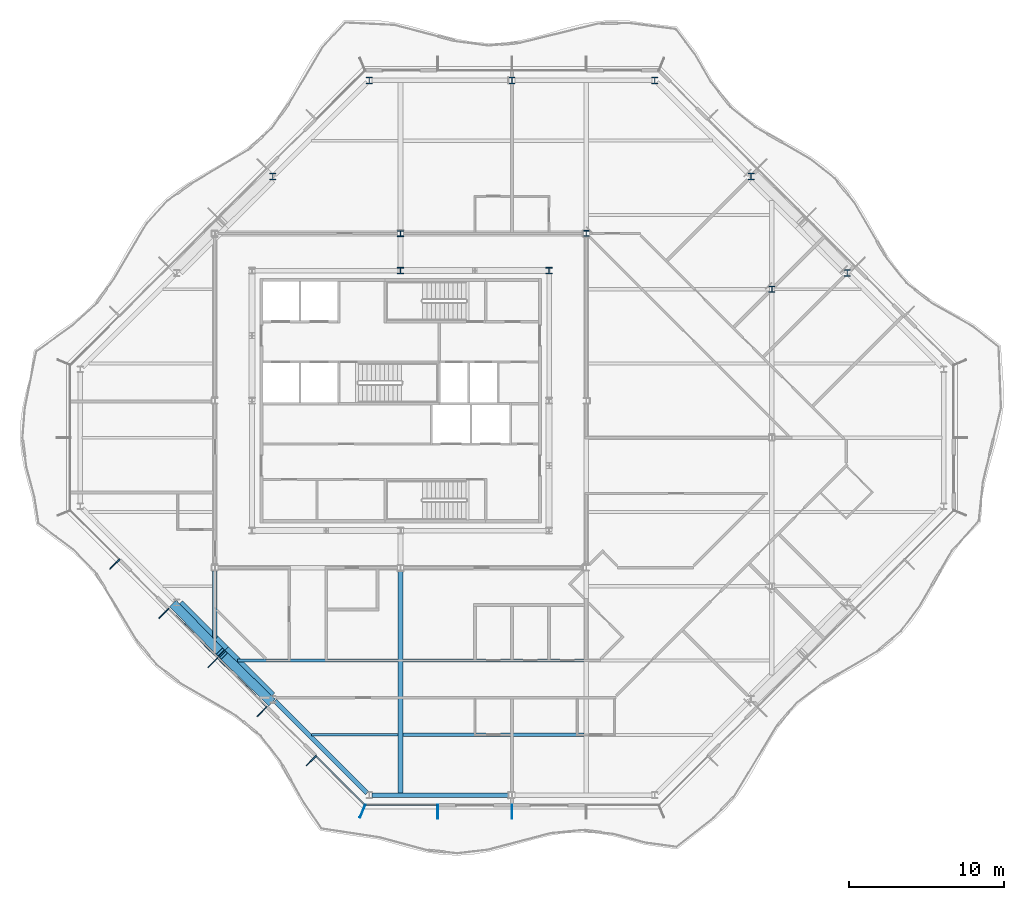
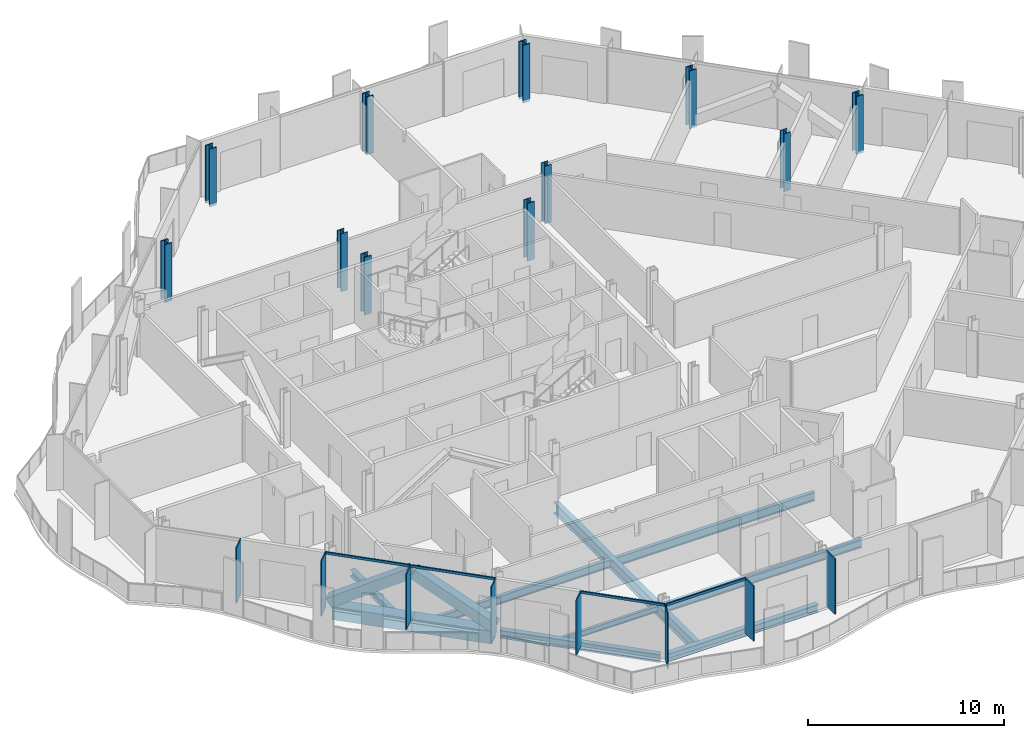
# One storey, part 2 of 17: 14 members, 11 columns, 10 beams, 2 elements without a shape of their own.
"""IFC4 building model written with IfcOpenShell, lengths in metres."""

from ifc_helpers import new_model, si_unit, direction, frame, origin, origin_2d, place, context, subcontext, project, spatial, rectangle, hollow_rectangle, i_section, extrude, material, material_profile, profile_set, type_object, element, aggregate, save


model = new_model("IFC4")

# Units and contexts
model_context = context("Model", 3, precision=1e-05, world=origin(), true_north=direction((0.0, 1.0)))
body_context = subcontext(model_context, "Body", "Model", "MODEL_VIEW")
ifc_project = project(units=[si_unit("LENGTHUNIT", "METRE"), si_unit("AREAUNIT", "SQUARE_METRE"), si_unit("VOLUMEUNIT", "CUBIC_METRE"), si_unit("PLANEANGLEUNIT", "RADIAN"), si_unit("MASSUNIT", "GRAM", prefix="KILO")], contexts=[model_context])

# Site, building, storey
site_placement = place(None, origin())
site = spatial("IfcSite", under=ifc_project, at=site_placement, CompositionType="ELEMENT")
building_placement = place(site_placement, origin())
building = spatial("IfcBuilding", under=site, at=building_placement, Name="Cairn Pilgrim Tower", CompositionType="ELEMENT")
storey_placement = place(building_placement, frame((0.0, 0.0, 217.800048828125)))
storey = spatial("IfcBuildingStorey", under=building, at=storey_placement, Name="L55", CompositionType="ELEMENT", Elevation=217.800048828125)

# Columns
ifc_material_1 = material(Name="Structural steel S355J2", Category="steel")
ifc_material_profile_1 = material_profile(ifc_material_1, i_section(OverallWidth=0.39892578125, OverallDepth=0.39306640625, WebThickness=0.022705078125, FlangeThickness=0.03662109375, FilletRadius=0.014892578125, at=origin_2d()), Name="HD 400x287")
ifc_profile_set_1 = profile_set([ifc_material_profile_1], Name="Structural steel S355J2")
column_type_1 = type_object("IfcColumnType", Name="HD 400x287", PredefinedType="COLUMN", material=ifc_profile_set_1)
for number, where, z_axis, x_axis, name in (
    (1, (7.199951171875, 13.199951171875, -0.150146484375), (0.0, 0.0, 1.0), (1.0, 0.0, 0.0), "IC-7"),
    (2, (19.199951171875, 13.199951171875, -0.150146484375), (0.0, 0.0, 1.0), (1.0, 0.0, 0.0), "IC-8"),
    (3, (31.199951171875, 9.60009765625, -0.150146484375), (0.0, 0.0, 1.0), (1.0, 0.0, 0.0), "WC-WE+2"),
):
    element("IfcColumn", number, at=place(storey_placement, frame(where, z_axis=z_axis, x_axis=x_axis)), inside=storey, type_object=column_type_1, Name=name, PredefinedType="COLUMN", context=body_context, shape_type="SweptSolid", body=[
        extrude(i_section(OverallWidth=0.39892578125, OverallDepth=0.39306640625, WebThickness=0.022705078125, FlangeThickness=0.03662109375, FilletRadius=0.014892578125, at=origin_2d()), origin(), (0.0, 0.0, 1.0), 3.60009765625),
    ])
ifc_material_2 = material(Name="Structural steel S460M", Category="steel")
ifc_material_profile_2 = material_profile(ifc_material_2, i_section(OverallWidth=0.404052734375, OverallDepth=0.406982421875, WebThickness=0.027099609375, FlangeThickness=0.043701171875, FilletRadius=0.014892578125, at=origin_2d()), Name="HD 400x347")
ifc_profile_set_2 = profile_set([ifc_material_profile_2], Name="Structural steel S460M")
column_type_2 = type_object("IfcColumnType", Name="HD 400x347", PredefinedType="COLUMN", material=ifc_profile_set_2)
for number, where, z_axis, x_axis, name in (
    (4, (7.199951171875, 10.800048828125, -0.150146484375), (0.0, 0.0, 1.0), (1.0, 0.0, 0.0), "KC-7"),
    (5, (16.800048828125, 10.800048828125, -0.150146484375), (0.0, 0.0, 1.0), (1.0, 0.0, 0.0), "KC-8"),
):
    element("IfcColumn", number, at=place(storey_placement, frame(where, z_axis=z_axis, x_axis=x_axis)), inside=storey, type_object=column_type_2, Name=name, PredefinedType="COLUMN", context=body_context, shape_type="SweptSolid", body=[
        extrude(i_section(OverallWidth=0.404052734375, OverallDepth=0.406982421875, WebThickness=0.027099609375, FlangeThickness=0.043701171875, FilletRadius=0.014892578125, at=origin_2d()), origin(), (0.0, 0.0, 1.0), 3.60009765625),
    ])
ifc_material_profile_3 = material_profile(ifc_material_2, i_section(OverallWidth=0.416015625, OverallDepth=0.446044921875, WebThickness=0.0390625, FlangeThickness=0.062744140625, FilletRadius=0.014892578125, at=origin_2d()), Name="HD 400x509")
ifc_profile_set_3 = profile_set([ifc_material_profile_3], Name="Structural steel S460M")
column_type_3 = type_object("IfcColumnType", Name="HD 400x509", PredefinedType="COLUMN", material=ifc_profile_set_3)
for number, where, z_axis, x_axis, name in (
    (6, (36.07568359375, 10.651611328125, -0.150146484375), (0.0, 0.0, 1.0), (1.0, 0.0, 0.0), "PC3-NE2"),
    (7, (29.8515625, 16.875732421875, -0.150146484375), (0.0, 0.0, 1.0), (1.0, 0.0, 0.0), "PC3-NE3"),
    (8, (23.627197265625, 23.10009765625, -0.150146484375), (0.0, 0.0, 1.0), (1.0, 0.0, 0.0), "PC3-N1"),
    (9, (14.39990234375, 23.10009765625, -0.150146484375), (0.0, 0.0, 1.0), (1.0, 0.0, 0.0), "PC3-N2"),
    (10, (5.1728515625, 23.10009765625, -0.150146484375), (0.0, 0.0, 1.0), (1.0, 0.0, 0.0), "PC3-NW1"),
    (11, (-1.051513671875, 16.875732421875, -0.150146484375), (0.0, 0.0, 1.0), (1.0, 0.0, 0.0), "PC3-NW2"),
):
    element("IfcColumn", number, at=place(storey_placement, frame(where, z_axis=z_axis, x_axis=x_axis)), inside=storey, type_object=column_type_3, Name=name, PredefinedType="COLUMN", context=body_context, shape_type="SweptSolid", body=[
        extrude(i_section(OverallWidth=0.416015625, OverallDepth=0.446044921875, WebThickness=0.0390625, FlangeThickness=0.062744140625, FilletRadius=0.014892578125, at=origin_2d()), origin(), (0.0, 0.0, 1.0), 3.60009765625),
    ])

# Members
ifc_material_profile_4 = material_profile(ifc_material_2, hollow_rectangle(XDim=0.60009765625, YDim=0.60009765625, WallThickness=0.034912109375, at=origin_2d()), Name="BOX 600x600x35")
ifc_profile_set_4 = profile_set([ifc_material_profile_4], Name="Structural steel S460M")
member_type_1 = type_object("IfcMemberType", Name="BOX 600x600x35 BRACE", PredefinedType="BRACE", material=ifc_profile_set_4)
member_1_placement = place(storey_placement, frame((-7.4013671875, -10.823974609375, 0.14990234375), z_axis=(0.59476326853, -0.609993709431, 0.523607036681), x_axis=(0.715988756584, 0.698111810848, 0.0)))
element("IfcMember", 12, at=member_1_placement, inside=storey, type_object=member_type_1, Name="XB-SW2-SW3-1", PredefinedType="BRACE", context=body_context, shape_type="SweptSolid", body=[
    extrude(hollow_rectangle(XDim=0.60009765625, YDim=0.60009765625, WallThickness=0.034912109375, at=origin_2d()), origin(), (0.0, 0.0, 1.0), 5.033447265625),
])
member_2_placement = place(storey_placement, frame((-1.22412109375, -17.00146484375, 0.14990234375), z_axis=(-0.609963251675, 0.594780866166, 0.523622528973), x_axis=(-0.698140268834, -0.71596100804, 0.0)))
element("IfcMember", 13, at=member_2_placement, inside=storey, type_object=member_type_1, Name="XB-SW2-SW3-2", PredefinedType="BRACE", context=body_context, shape_type="SweptSolid", body=[
    extrude(hollow_rectangle(XDim=0.60009765625, YDim=0.60009765625, WallThickness=0.034912109375, at=origin_2d()), origin(), (0.0, 0.0, 1.0), 5.033203125),
])

# Beams
ifc_material_profile_5 = material_profile(ifc_material_1, hollow_rectangle(XDim=0.699951171875, YDim=0.800048828125, WallThickness=0.0400390625, at=origin_2d()), Name="BOX 700x800x40")
ifc_profile_set_5 = profile_set([ifc_material_profile_5], Name="Structural steel S355J2")
beam_type_1 = type_object("IfcBeamType", Name="BOX 700x800x40 RING GIRDER", PredefinedType="SPANDREL", material=ifc_profile_set_5)
beam_1_placement = place(storey_placement, frame((-7.143310546875, -10.78369140625, -0.550048828125), z_axis=(0.707077813866, -0.707135747321, 0.0), x_axis=(0.707135747321, 0.707077813866, 0.0)))
element("IfcBeam", 14, at=beam_1_placement, inside=storey, type_object=beam_type_1, Name="RG3-SW2-SW3-1", PredefinedType="SPANDREL", context=body_context, shape_type="SweptSolid", body=[
    extrude(hollow_rectangle(XDim=0.699951171875, YDim=0.800048828125, WallThickness=0.0400390625, at=origin_2d()), origin(), (0.0, 0.0, 1.0), 4.214111328125),
])
beam_2_placement = place(storey_placement, frame((-4.16357421875, -13.763671875, -0.550048828125), z_axis=(0.707106781187, -0.707106781187, 0.0), x_axis=(0.707106781187, 0.707106781187, 0.0)))
element("IfcBeam", 15, at=beam_2_placement, inside=storey, type_object=beam_type_1, Name="RG3-SW2-SW3-2", PredefinedType="SPANDREL", context=body_context, shape_type="SweptSolid", body=[
    extrude(hollow_rectangle(XDim=0.699951171875, YDim=0.800048828125, WallThickness=0.0400390625, at=origin_2d()), origin(), (0.0, 0.0, 1.0), 4.2138671875),
])

# Curtain wall, members
ifc_material_3 = material(Name="Aluminium alloy 6063-T6 bronze anodised with Bronze tinted laminated low-E glass 8+16+8.8", Category="aluminium")
curtain_wall_type_1 = type_object("IfcCurtainWallType", Name="TOWER STICK CURTAIN WALL NS", PredefinedType="NOTDEFINED", material=ifc_material_3)
curtain_wall_1_placement = place(storey_placement, origin())
curtain_wall_1 = element("IfcCurtainWall", 16, at=curtain_wall_1_placement, inside=storey, type_object=curtain_wall_type_1, Name="Tower Stick Curtain Wall Ns S", PredefinedType="NOTDEFINED")
ifc_material_4 = material(Name="Aluminium alloy 6063-T6 bronze anodised", Category="aluminium")
ifc_material_profile_6 = material_profile(ifc_material_4, rectangle(XDim=0.89990234375, YDim=0.06005859375, at=origin_2d()), Name="FIN MULLION 60x900 BRONZE")
ifc_profile_set_6 = profile_set([ifc_material_profile_6], Name="Aluminium alloy 6063-T6 bronze anodised")
member_type_2 = type_object("IfcMemberType", Name="FIN MULLION 60x900 BRONZE", PredefinedType="MULLION", material=ifc_profile_set_6)
member_3_placement = place(storey_placement, frame((4.742919921875, -24.137939453125, 0.0), z_axis=(0.0, 0.0, 1.0), x_axis=(-0.382683432365, -0.923879532511, 0.0)))
member_3 = element("IfcMember", 17, at=member_3_placement, type_object=member_type_2, Name="Fin mullion S1", PredefinedType="MULLION", context=body_context, shape_type="SweptSolid", body=[
    extrude(rectangle(XDim=0.89990234375, YDim=0.06005859375, at=origin_2d()), origin(), (0.0, 0.0, 1.0), 3.449951171875),
])
member_4_placement = place(storey_placement, frame((9.60009765625, -24.169921875, 0.0), z_axis=(0.0, 0.0, 1.0), x_axis=(0.0, -1.0, 0.0)))
member_4 = element("IfcMember", 18, at=member_4_placement, type_object=member_type_2, Name="Fin mullion S2", PredefinedType="MULLION", context=body_context, shape_type="SweptSolid", body=[
    extrude(rectangle(XDim=0.89990234375, YDim=0.06005859375, at=origin_2d()), origin(), (0.0, 0.0, 1.0), 3.449951171875),
])
member_5_placement = place(storey_placement, frame((14.39990234375, -24.169921875, 0.0), z_axis=(0.0, 0.0, 1.0), x_axis=(0.0, -1.0, 0.0)))
member_5 = element("IfcMember", 19, at=member_5_placement, type_object=member_type_2, Name="Fin mullion S3", PredefinedType="MULLION", context=body_context, shape_type="SweptSolid", body=[
    extrude(rectangle(XDim=0.89990234375, YDim=0.06005859375, at=origin_2d()), origin(), (0.0, 0.0, 1.0), 3.449951171875),
])

curtain_wall_type_2 = type_object("IfcCurtainWallType", Name="CHAMFER CORNER CURTAIN WALL", PredefinedType="NOTDEFINED", material=ifc_material_3)
curtain_wall_2_placement = place(storey_placement, origin())
curtain_wall_2 = element("IfcCurtainWall", 20, at=curtain_wall_2_placement, inside=storey, type_object=curtain_wall_type_2, Name="Chamfer Corner Curtain Wall SW", PredefinedType="NOTDEFINED")
member_6_placement = place(storey_placement, frame((-11.271484375, -8.1689453125, 0.0), z_axis=(0.0, 0.0, 1.0), x_axis=(-0.707106781187, -0.707106781187, 0.0)))
member_6 = element("IfcMember", 21, at=member_6_placement, type_object=member_type_2, Name="Fin mullion SW2", PredefinedType="MULLION", context=body_context, shape_type="SweptSolid", body=[
    extrude(rectangle(XDim=0.89990234375, YDim=0.06005859375, at=origin_2d()), origin(), (0.0, 0.0, 1.0), 3.449951171875),
])
member_7_placement = place(storey_placement, frame((-8.095703125, -11.3447265625, 0.0), z_axis=(0.0, 0.0, 1.0), x_axis=(-0.707106781187, -0.707106781187, 0.0)))
member_7 = element("IfcMember", 22, at=member_7_placement, type_object=member_type_2, Name="Fin mullion SW3", PredefinedType="MULLION", context=body_context, shape_type="SweptSolid", body=[
    extrude(rectangle(XDim=0.89990234375, YDim=0.06005859375, at=origin_2d()), origin(), (0.0, 0.0, 1.0), 3.449951171875),
])
member_8_placement = place(storey_placement, frame((-4.920166015625, -14.520263671875, 0.0), z_axis=(0.0, 0.0, 1.0), x_axis=(-0.707106781187, -0.707106781187, 0.0)))
member_8 = element("IfcMember", 23, at=member_8_placement, type_object=member_type_2, Name="Fin mullion SW4", PredefinedType="MULLION", context=body_context, shape_type="SweptSolid", body=[
    extrude(rectangle(XDim=0.89990234375, YDim=0.06005859375, at=origin_2d()), origin(), (0.0, 0.0, 1.0), 3.449951171875),
])
member_9_placement = place(storey_placement, frame((-1.74462890625, -17.69580078125, 0.0), z_axis=(0.0, 0.0, 1.0), x_axis=(-0.707106781187, -0.707106781187, 0.0)))
member_9 = element("IfcMember", 24, at=member_9_placement, type_object=member_type_2, Name="Fin mullion SW5", PredefinedType="MULLION", context=body_context, shape_type="SweptSolid", body=[
    extrude(rectangle(XDim=0.89990234375, YDim=0.06005859375, at=origin_2d()), origin(), (0.0, 0.0, 1.0), 3.449951171875),
])
member_10_placement = place(storey_placement, frame((1.430908203125, -20.871337890625, 0.0), z_axis=(0.0, 0.0, 1.0), x_axis=(-0.707106781187, -0.707106781187, 0.0)))
member_10 = element("IfcMember", 25, at=member_10_placement, type_object=member_type_2, Name="Fin mullion SW6", PredefinedType="MULLION", context=body_context, shape_type="SweptSolid", body=[
    extrude(rectangle(XDim=0.89990234375, YDim=0.06005859375, at=origin_2d()), origin(), (0.0, 0.0, 1.0), 3.449951171875),
])

# Beams
ifc_material_profile_7 = material_profile(ifc_material_1, i_section(OverallWidth=0.300048828125, OverallDepth=0.39990234375, WebThickness=0.013427734375, FlangeThickness=0.02392578125, FilletRadius=0.027099609375, at=origin_2d()), Name="HEB 400")
ifc_profile_set_7 = profile_set([ifc_material_profile_7], Name="Structural steel S355J2")
beam_type_2 = type_object("IfcBeamType", Name="HEB 400 GIRDER", PredefinedType="BEAM", material=ifc_profile_set_7)
beam_3_placement = place(storey_placement, frame((-4.800048828125, -12.945068359375, -0.35009765625), z_axis=(0.0, 1.0, 0.0), x_axis=(-1.0, 0.0, 0.0)))
element("IfcBeam", 26, at=beam_3_placement, inside=storey, type_object=beam_type_2, Name="PG2-1", PredefinedType="BEAM", context=body_context, shape_type="SweptSolid", body=[
    extrude(i_section(OverallWidth=0.300048828125, OverallDepth=0.39990234375, WebThickness=0.013427734375, FlangeThickness=0.02392578125, FilletRadius=0.027099609375, at=origin_2d()), origin(), (0.0, 0.0, 1.0), 4.345458984375),
])
ifc_material_profile_8 = material_profile(ifc_material_1, i_section(OverallWidth=0.300048828125, OverallDepth=0.5, WebThickness=0.014404296875, FlangeThickness=0.028076171875, FilletRadius=0.027099609375, at=origin_2d()), Name="HEB 500")
ifc_profile_set_8 = profile_set([ifc_material_profile_8], Name="Structural steel S355J2")
beam_type_3 = type_object("IfcBeamType", Name="HEB 500 RING GIRDER", PredefinedType="SPANDREL", material=ifc_profile_set_8)
beam_4_placement = place(storey_placement, frame((5.360107421875, -23.10009765625, -0.400146484375), z_axis=(1.0, 0.0, 0.0), x_axis=(0.0, 1.0, 0.0)))
element("IfcBeam", 27, at=beam_4_placement, inside=storey, type_object=beam_type_3, Name="RG3-S1-S2", PredefinedType="SPANDREL", context=body_context, shape_type="SweptSolid", body=[
    extrude(i_section(OverallWidth=0.300048828125, OverallDepth=0.5, WebThickness=0.014404296875, FlangeThickness=0.028076171875, FilletRadius=0.027099609375, at=origin_2d()), origin(), (0.0, 0.0, 1.0), 8.852783203125),
])
beam_5_placement = place(storey_placement, frame((-0.919189453125, -17.008056640625, -0.400146484375), z_axis=(0.707106781187, -0.707106781187, 0.0), x_axis=(0.707106781187, 0.707106781187, 0.0)))
element("IfcBeam", 28, at=beam_5_placement, inside=storey, type_object=beam_type_3, Name="RG3-SW3-S1", PredefinedType="SPANDREL", context=body_context, shape_type="SweptSolid", body=[
    extrude(i_section(OverallWidth=0.300048828125, OverallDepth=0.5, WebThickness=0.014404296875, FlangeThickness=0.028076171875, FilletRadius=0.027099609375, at=origin_2d()), origin(), (0.0, 0.0, 1.0), 8.427978515625),
])
ifc_material_profile_9 = material_profile(ifc_material_1, i_section(OverallWidth=0.300048828125, OverallDepth=0.699951171875, WebThickness=0.01708984375, FlangeThickness=0.031982421875, FilletRadius=0.027099609375, at=origin_2d()), Name="HEB 700")
ifc_profile_set_9 = profile_set([ifc_material_profile_9], Name="Structural steel S355J2")
beam_type_4 = type_object("IfcBeamType", Name="HEB 700 GIRDER", PredefinedType="BEAM", material=ifc_profile_set_9)
beam_6_placement = place(storey_placement, frame((7.199951171875, -22.97998046875, -0.5), z_axis=(0.0, 1.0, 0.0), x_axis=(-1.0, 0.0, 0.0)))
element("IfcBeam", 29, at=beam_6_placement, inside=storey, type_object=beam_type_4, Name="PG3-1", PredefinedType="BEAM", context=body_context, shape_type="SweptSolid", body=[
    extrude(i_section(OverallWidth=0.300048828125, OverallDepth=0.699951171875, WebThickness=0.01708984375, FlangeThickness=0.031982421875, FilletRadius=0.027099609375, at=origin_2d()), origin(), (0.0, 0.0, 1.0), 14.38037109375),
])
ifc_material_profile_10 = material_profile(ifc_material_1, i_section(OverallWidth=0.169921875, OverallDepth=0.360107421875, WebThickness=0.008056640625, FlangeThickness=0.0126953125, FilletRadius=0.01806640625, at=origin_2d()), Name="IPE 360")
ifc_profile_set_10 = profile_set([ifc_material_profile_10], Name="Structural steel S355J2")
beam_type_5 = type_object("IfcBeamType", Name="IPE 360 SECONDARY BEAM", PredefinedType="JOIST", material=ifc_profile_set_10)
beam_7_placement = place(storey_placement, frame((1.454833984375, -19.199951171875, -0.330078125), z_axis=(1.0, 0.0, 0.0), x_axis=(0.0, 1.0, 0.0)))
element("IfcBeam", 30, at=beam_7_placement, inside=storey, type_object=beam_type_5, Name="SB1-1", PredefinedType="JOIST", context=body_context, shape_type="SweptSolid", body=[
    extrude(i_section(OverallWidth=0.169921875, OverallDepth=0.360107421875, WebThickness=0.008056640625, FlangeThickness=0.0126953125, FilletRadius=0.01806640625, at=origin_2d()), origin(), (0.0, 0.0, 1.0), 5.59521484375),
])
ifc_material_profile_11 = material_profile(ifc_material_1, i_section(OverallWidth=0.199951171875, OverallDepth=0.5, WebThickness=0.01025390625, FlangeThickness=0.01611328125, FilletRadius=0.02099609375, at=origin_2d()), Name="IPE 500")
ifc_profile_set_11 = profile_set([ifc_material_profile_11], Name="Structural steel S355J2")
beam_type_6 = type_object("IfcBeamType", Name="IPE 500 SECONDARY BEAM", PredefinedType="JOIST", material=ifc_profile_set_11)
beam_8_placement = place(storey_placement, frame((-3.34521484375, -14.39990234375, -0.400146484375), z_axis=(1.0, 0.0, 0.0), x_axis=(0.0, 1.0, 0.0)))
element("IfcBeam", 31, at=beam_8_placement, inside=storey, type_object=beam_type_6, Name="SB2-1", PredefinedType="JOIST", context=body_context, shape_type="SweptSolid", body=[
    extrude(i_section(OverallWidth=0.199951171875, OverallDepth=0.5, WebThickness=0.01025390625, FlangeThickness=0.01611328125, FilletRadius=0.02099609375, at=origin_2d()), origin(), (0.0, 0.0, 1.0), 10.395263671875),
])
ifc_material_profile_12 = material_profile(ifc_material_1, i_section(OverallWidth=0.2099609375, OverallDepth=0.550048828125, WebThickness=0.010986328125, FlangeThickness=0.01708984375, FilletRadius=0.02392578125, at=origin_2d()), Name="IPE 550")
ifc_profile_set_12 = profile_set([ifc_material_profile_12], Name="Structural steel S355J2")
beam_type_7 = type_object("IfcBeamType", Name="IPE 550 SECONDARY BEAM", PredefinedType="JOIST", material=ifc_profile_set_12)
for number, where, z_axis, x_axis, name in (
    (32, (7.35009765625, -19.199951171875, -0.425048828125), (1.0, 0.0, 0.0), (0.0, 1.0, 0.0), "SB1-2"),
    (33, (7.35009765625, -14.39990234375, -0.425048828125), (1.0, 0.0, 0.0), (0.0, 1.0, 0.0), "SB2-2"),
):
    element("IfcBeam", number, at=place(storey_placement, frame(where, z_axis=z_axis, x_axis=x_axis)), inside=storey, type_object=beam_type_7, Name=name, PredefinedType="JOIST", context=body_context, shape_type="SweptSolid", body=[
        extrude(i_section(OverallWidth=0.2099609375, OverallDepth=0.550048828125, WebThickness=0.010986328125, FlangeThickness=0.01708984375, FilletRadius=0.02392578125, at=origin_2d()), origin(), (0.0, 0.0, 1.0), 11.699951171875),
    ])

# Member
ifc_material_profile_13 = material_profile(ifc_material_4, rectangle(XDim=0.080078125, YDim=0.14990234375, at=origin_2d()), Name="TRANSOM 80x150 BRONZE")
ifc_profile_set_13 = profile_set([ifc_material_profile_13], Name="Aluminium alloy 6063-T6 bronze anodised")
member_type_3 = type_object("IfcMemberType", Name="TRANSOM 80x150 BRONZE", PredefinedType="USERDEFINED", material=ifc_profile_set_13)
member_11_placement = place(storey_placement, frame((4.943603515625, -23.75, 3.375), z_axis=(1.0, 0.0, 0.0), x_axis=(0.0, 1.0, 0.0)))
member_11 = element("IfcMember", 34, at=member_11_placement, type_object=member_type_3, Name="Transom S1", ObjectType="TRANSOM", PredefinedType="USERDEFINED", context=body_context, shape_type="SweptSolid", body=[
    extrude(rectangle(XDim=0.080078125, YDim=0.14990234375, at=origin_2d()), origin(), (0.0, 0.0, 1.0), 4.62646484375),
])

aggregate(curtain_wall_1, [member_3, member_4, member_5, member_11])

member_12_placement = place(storey_placement, frame((-7.777587890625, -11.06884765625, 3.375), z_axis=(0.707106781187, -0.707106781187, 0.0), x_axis=(0.707106781187, 0.707106781187, 0.0)))
member_12 = element("IfcMember", 35, at=member_12_placement, type_object=member_type_3, Name="Transom SW3", ObjectType="TRANSOM", PredefinedType="USERDEFINED", context=body_context, shape_type="SweptSolid", body=[
    extrude(rectangle(XDim=0.080078125, YDim=0.14990234375, at=origin_2d()), origin(), (0.0, 0.0, 1.0), 4.430908203125),
])

member_13_placement = place(storey_placement, frame((-4.60205078125, -14.244384765625, 3.375), z_axis=(0.707106781187, -0.707106781187, 0.0), x_axis=(0.707106781187, 0.707106781187, 0.0)))
member_13 = element("IfcMember", 36, at=member_13_placement, type_object=member_type_3, Name="Transom SW4", ObjectType="TRANSOM", PredefinedType="USERDEFINED", context=body_context, shape_type="SweptSolid", body=[
    extrude(rectangle(XDim=0.080078125, YDim=0.14990234375, at=origin_2d()), origin(), (0.0, 0.0, 1.0), 4.43115234375),
])

member_14_placement = place(storey_placement, frame((1.749267578125, -20.595703125, 3.375), z_axis=(0.707106781187, -0.707106781187, 0.0), x_axis=(0.707106781187, 0.707106781187, 0.0)))
member_14 = element("IfcMember", 37, at=member_14_placement, type_object=member_type_3, Name="Transom SW6", ObjectType="TRANSOM", PredefinedType="USERDEFINED", context=body_context, shape_type="SweptSolid", body=[
    extrude(rectangle(XDim=0.080078125, YDim=0.14990234375, at=origin_2d()), origin(), (0.0, 0.0, 1.0), 4.4208984375),
])

aggregate(curtain_wall_2, [member_6, member_7, member_8, member_9, member_10, member_12, member_13, member_14])

save(model, "model.ifc")
